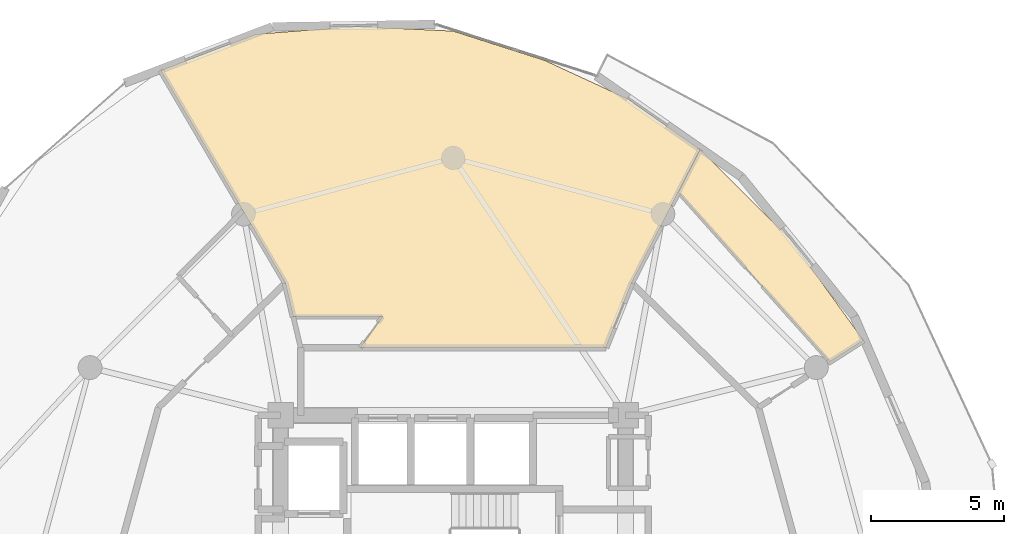
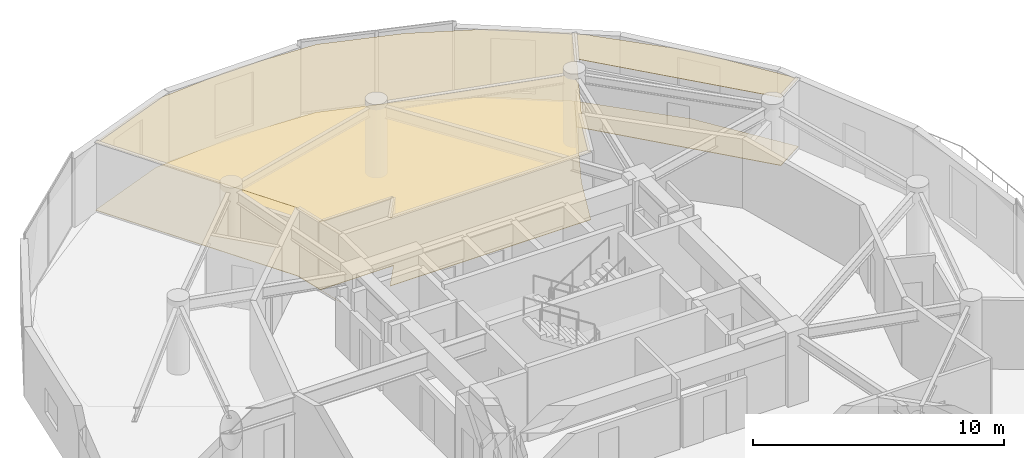
# One storey, part 18 of 18: 4 coverings.
"""IFC4 building model written with IfcOpenShell, lengths in metres."""

from ifc_helpers import new_model, si_unit, direction, frame, origin, place, context, subcontext, project, spatial, polyline, outline, extrude, material, layer, layer_set, type_object, element, save


model = new_model("IFC4")

# Units and contexts
model_context = context("Model", 3, precision=1e-05, world=origin(), true_north=direction((0.0, 1.0)))
body_context = subcontext(model_context, "Body", "Model", "MODEL_VIEW")
ifc_project = project(units=[si_unit("LENGTHUNIT", "METRE"), si_unit("AREAUNIT", "SQUARE_METRE"), si_unit("VOLUMEUNIT", "CUBIC_METRE"), si_unit("PLANEANGLEUNIT", "RADIAN"), si_unit("MASSUNIT", "GRAM", prefix="KILO")], contexts=[model_context])

# Site, building, storey
site_placement = place(None, origin())
site = spatial("IfcSite", under=ifc_project, at=site_placement, CompositionType="ELEMENT")
building_placement = place(site_placement, origin())
building = spatial("IfcBuilding", under=site, at=building_placement, Name="Solvirekh Grand Hotel", CompositionType="ELEMENT")
storey_placement = place(building_placement, frame((0.0, 0.0, 187.60009765625)))
storey = spatial("IfcBuildingStorey", under=building, at=storey_placement, Name="L48", CompositionType="ELEMENT", Elevation=187.60009765625)

# Coverings
ifc_material_1 = material(Name="Acoustic Mineral Ceiling Tile")
ifc_layer_1 = layer(ifc_material_1, 0.02490234375)
ifc_layer_set_1 = layer_set([ifc_layer_1], Name="Acoustic Mineral Ceiling Tile")
covering_type_1 = type_object("IfcCoveringType", Name="Cov_Ceiling_Acoustic", PredefinedType="CEILING", material=ifc_layer_set_1)
covering_1_placement = place(storey_placement, frame((0.0, 0.0, 3.309814453125)))
element("IfcCovering", 1, at=covering_1_placement, inside=storey, type_object=covering_type_1, Name="L48 Panorama Suite 5001 acoustic ceiling", PredefinedType="CEILING", context=body_context, shape_type="SweptSolid", body=[
    extrude(outline(polyline([(-5.75, 8.64990234375), (-6.02587890625, 9.819091796875), (-2.6640625, 9.819091796875), (-3.5, 8.64990234375), (5.75, 8.64990234375), (6.72509765625, 11.0849609375), (9.305908203125, 16.117919921875), (6.56298828125, 18.031982421875), (3.43408203125, 19.47705078125), (0.0, 20.576904296875), (-3.658935546875, 20.7509765625), (-7.447021484375, 20.4599609375), (-11.02587890625, 19.096923828125), (-6.324951171875, 11.0849609375), (-5.75, 8.64990234375)])), origin(), (0.0, 0.0, 1.0), 0.01806640625),
])
covering_2_placement = place(storey_placement, frame((0.0, 0.0, 3.309814453125)))
element("IfcCovering", 2, at=covering_2_placement, inside=storey, type_object=covering_type_1, Name="L48 Diplomatic Suite 5003 Master Bedroom acoustic ceiling", PredefinedType="CEILING", context=body_context, shape_type="SweptSolid", body=[
    extrude(outline(polyline([(15.45703125, 8.924072265625), (12.718017578125, 12.718017578125), (9.305908203125, 16.117919921875), (8.47998046875, 14.507080078125), (14.19091796875, 8.115966796875), (15.45703125, 8.924072265625)])), origin(), (0.0, 0.0, 1.0), 0.01806640625),
])
ifc_material_2 = material(Name="Porcelain Stoneware Flooring", Category="masonry")
ifc_layer_2 = layer(ifc_material_2, 0.030029296875)
ifc_layer_set_2 = layer_set([ifc_layer_2], Name="Porcelain Stoneware Flooring")
covering_type_2 = type_object("IfcCoveringType", Name="Cov_Floor_Stone", PredefinedType="FLOORING", material=ifc_layer_set_2)
covering_3_placement = place(storey_placement, origin())
element("IfcCovering", 3, at=covering_3_placement, inside=storey, type_object=covering_type_2, Name="L48 Panorama Suite 5001 polished granite flooring", PredefinedType="FLOORING", context=body_context, shape_type="SweptSolid", body=[
    extrude(outline(polyline([(-5.75, 8.64990234375), (-6.02587890625, 9.819091796875), (-2.6640625, 9.819091796875), (-3.5, 8.64990234375), (5.75, 8.64990234375), (6.72509765625, 11.0849609375), (9.305908203125, 16.117919921875), (6.56298828125, 18.031982421875), (3.43408203125, 19.47705078125), (0.0, 20.576904296875), (-3.658935546875, 20.7509765625), (-7.447021484375, 20.4599609375), (-11.02587890625, 19.096923828125), (-6.324951171875, 11.0849609375), (-5.75, 8.64990234375)])), origin(), (0.0, 0.0, 1.0), 0.02001953125),
])
covering_4_placement = place(storey_placement, origin())
element("IfcCovering", 4, at=covering_4_placement, inside=storey, type_object=covering_type_2, Name="L48 Diplomatic Suite 5003 Master Bedroom polished granite flooring", PredefinedType="FLOORING", context=body_context, shape_type="SweptSolid", body=[
    extrude(outline(polyline([(15.45703125, 8.924072265625), (12.718017578125, 12.718017578125), (9.305908203125, 16.117919921875), (8.47998046875, 14.507080078125), (14.19091796875, 8.115966796875), (15.45703125, 8.924072265625)])), origin(), (0.0, 0.0, 1.0), 0.02001953125),
])

save(model, "model.ifc")
